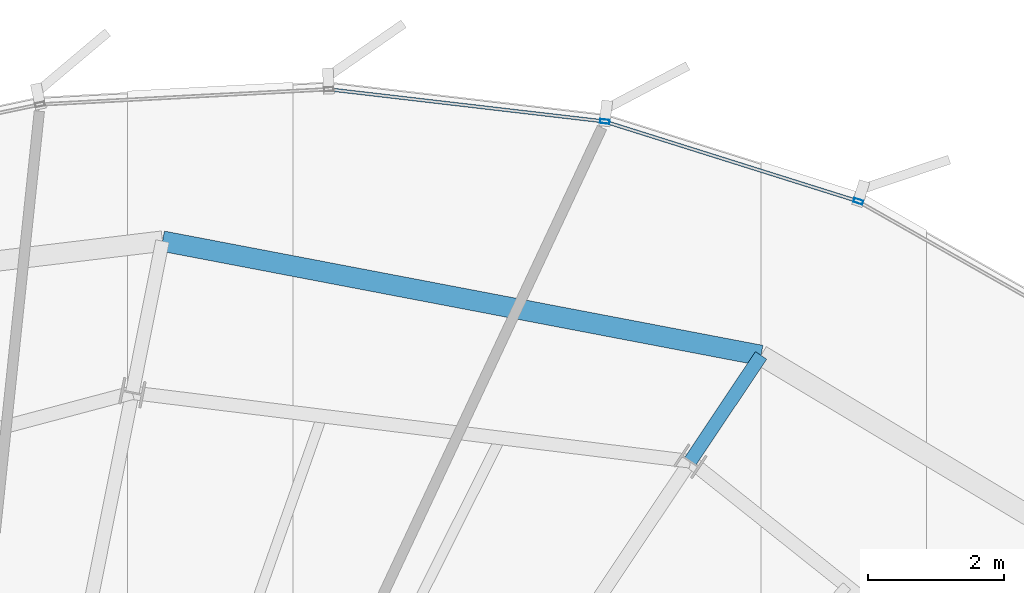
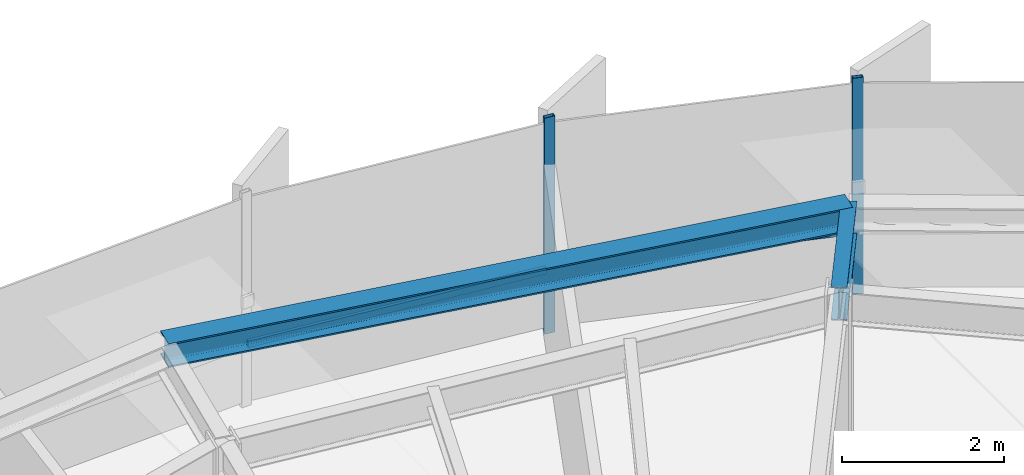
# One storey, part 28 of 36: 4 members, 2 beams, 1 element without a shape of its own.
"""IFC4 building model written with IfcOpenShell, lengths in metres."""

from ifc_helpers import new_model, si_unit, direction, frame, origin, origin_2d, place, context, subcontext, project, spatial, hollow_rectangle, i_section, extrude, source, transform, mapped, material, layer, layer_set, material_profile, profile_set, type_object, element, aggregate, save


model = new_model("IFC4")

# Units and contexts
model_context = context("Model", 3, precision=1e-05, world=origin(), true_north=direction((0.0, 1.0)))
body_context = subcontext(model_context, "Body", "Model", "MODEL_VIEW")
ifc_project = project(units=[si_unit("LENGTHUNIT", "METRE"), si_unit("AREAUNIT", "SQUARE_METRE"), si_unit("VOLUMEUNIT", "CUBIC_METRE"), si_unit("PLANEANGLEUNIT", "RADIAN"), si_unit("MASSUNIT", "GRAM", prefix="KILO"), si_unit("THERMODYNAMICTEMPERATUREUNIT", "KELVIN")], contexts=[model_context])

# Site, building, storey
site_placement = place(None, origin())
site = spatial("IfcSite", under=ifc_project, at=site_placement, CompositionType="ELEMENT")
building_placement = place(site_placement, origin())
building = spatial("IfcBuilding", under=site, at=building_placement, Name="Kethvar Cultural Tower", CompositionType="ELEMENT")
storey_placement = place(building_placement, frame((0.0, 0.0, 197.39990234375)))
storey = spatial("IfcBuildingStorey", under=building, at=storey_placement, Name="L51", CompositionType="ELEMENT", Elevation=197.39990234375)

# Beams
ifc_material_1 = material(Name="Steel S355J2", Category="steel")
ifc_material_profile_1 = material_profile(ifc_material_1, i_section(OverallWidth=0.199951171875, OverallDepth=0.5, WebThickness=0.01025390625, FlangeThickness=0.01611328125, FilletRadius=0.02099609375, at=origin_2d()), Name="Steel S355J2 — IPE500")
ifc_profile_set_1 = profile_set([ifc_material_profile_1], Name="Steel S355J2 — IPE500")
beam_type_1 = type_object("IfcBeamType", Name="BM-IPE500", PredefinedType="BEAM", material=ifc_profile_set_1)
shared_shape_1 = source(origin(), body_context, "Body", "SweptSolid", [
    extrude(i_section(OverallWidth=0.199951171875, OverallDepth=0.5, WebThickness=0.01025390625, FlangeThickness=0.01611328125, FilletRadius=0.02099609375, at=origin_2d()), origin(), (0.0, 0.0, 1.0), 1.869140625),
])
beam_1_placement = place(storey_placement, frame((58.748046875, 45.681396484375, 3.008056640625), z_axis=(0.555513774787, 0.831507333715, 0.0), x_axis=(-0.831507333715, 0.555513774787, 0.0)))
element("IfcBeam", 1, at=beam_1_placement, inside=storey, type_object=beam_type_1, Name="L51 Perimeter Cantilever Beam RC-03", PredefinedType="BEAM", context=body_context, shape_type="MappedRepresentation", body=[
    mapped(shared_shape_1, transform((0.0, 0.0, 0.0), scale=1.0)),
])
ifc_material_profile_2 = material_profile(ifc_material_1, i_section(OverallWidth=0.300048828125, OverallDepth=0.360107421875, WebThickness=0.012451171875, FlangeThickness=0.0224609375, FilletRadius=0.027099609375, at=origin_2d()), Name="Steel S355J2 — HEB360")
ifc_profile_set_2 = profile_set([ifc_material_profile_2], Name="Steel S355J2 — HEB360")
beam_type_2 = type_object("IfcBeamType", Name="BM-SP360", PredefinedType="SPANDREL", material=ifc_profile_set_2)
shared_shape_2 = source(origin(), body_context, "Body", "SweptSolid", [
    extrude(i_section(OverallWidth=0.300048828125, OverallDepth=0.360107421875, WebThickness=0.012451171875, FlangeThickness=0.0224609375, FilletRadius=0.027099609375, at=origin_2d()), origin(), (0.0, 0.0, 1.0), 8.945556640625),
])
beam_2_placement = place(storey_placement, frame((59.786376953125, 47.235595703125, 3.078125), z_axis=(-0.982260367654, 0.187522185717, 0.0), x_axis=(-0.187522185717, -0.982260367654, 0.0)))
element("IfcBeam", 2, at=beam_2_placement, inside=storey, type_object=beam_type_2, Name="L51 Perimeter Spandrel Beam SP-03", PredefinedType="SPANDREL", context=body_context, shape_type="MappedRepresentation", body=[
    mapped(shared_shape_2, transform((0.0, 0.0, 0.0), scale=1.0)),
])

# Curtain wall, members
ifc_material_2 = material(Name="Aluminium 6063-T6", Category="aluminium")
ifc_layer = layer(ifc_material_2, 0.179931640625, Name="Aluminium 6063-T6", Category="aluminium")
ifc_layer_set = layer_set([ifc_layer], Name="Aluminium 6063-T6 (180 mm)")
curtain_wall_type = type_object("IfcCurtainWallType", Name="CW-SYS-04-Z34", PredefinedType="NOTDEFINED", material=ifc_layer_set)
curtain_wall_placement = place(storey_placement, origin())
curtain_wall = element("IfcCurtainWall", 3, at=curtain_wall_placement, inside=storey, type_object=curtain_wall_type, Name="L51 Curtain Wall Run 01", PredefinedType="NOTDEFINED")
ifc_material_profile_3 = material_profile(ifc_material_2, hollow_rectangle(XDim=0.06005859375, YDim=0.139892578125, WallThickness=0.0048828125, at=origin_2d()), Name="Aluminium 6063-T6 — RHS140x60x5")
ifc_profile_set_3 = profile_set([ifc_material_profile_3], Name="Aluminium 6063-T6 — RHS140x60x5")
member_type_1 = type_object("IfcMemberType", Name="CW-SYS-04-Z34-MUL", PredefinedType="MULLION", material=ifc_profile_set_3)
shared_shape_3 = source(origin(), body_context, "Body", "SweptSolid", [
    extrude(hollow_rectangle(XDim=0.06005859375, YDim=0.139892578125, WallThickness=0.0048828125, at=origin_2d()), origin(), (0.0, 0.0, 1.0), 3.260009765625),
])
member_1_placement = place(storey_placement, frame((61.2138671875, 49.497314453125, 0.0), z_axis=(0.0, 0.0, 1.0), x_axis=(-0.300006607737, -0.953937123355, 0.0)))
member_1 = element("IfcMember", 4, at=member_1_placement, type_object=member_type_1, Name="CW-L51-R01 Mullion 3", PredefinedType="MULLION", context=body_context, shape_type="MappedRepresentation", body=[
    mapped(shared_shape_3, transform((0.0, 0.0, 0.0), scale=1.0)),
])
member_2_placement = place(storey_placement, frame((57.49365234375, 50.66943359375, 0.0), z_axis=(0.0, 0.0, 1.0), x_axis=(-0.115734644136, -0.993280168002, 0.0)))
member_2 = element("IfcMember", 5, at=member_2_placement, type_object=member_type_1, Name="CW-L51-R01 Mullion 4", PredefinedType="MULLION", context=body_context, shape_type="MappedRepresentation", body=[
    mapped(shared_shape_3, transform((0.0, 0.0, 0.0), scale=1.0)),
])
ifc_material_profile_4 = material_profile(ifc_material_2, hollow_rectangle(XDim=0.050048828125, YDim=0.10009765625, WallThickness=0.00390625, at=origin_2d()), Name="Aluminium 6063-T6 — RHS100x50x4")
ifc_profile_set_4 = profile_set([ifc_material_profile_4], Name="Aluminium 6063-T6 — RHS100x50x4")
member_type_2 = type_object("IfcMemberType", Name="CW-SYS-04-Z34-TRN", PredefinedType="USERDEFINED", material=ifc_profile_set_4)
shared_shape_4 = source(origin(), body_context, "Body", "SweptSolid", [
    extrude(hollow_rectangle(XDim=0.050048828125, YDim=0.10009765625, WallThickness=0.00390625, at=origin_2d()), origin(), (0.0, 0.0, 1.0), 3.8349609375),
])
member_3_placement = place(storey_placement, frame((61.172607421875, 49.51025390625, 0.9501953125), z_axis=(-0.953925536012, 0.300043449761, 0.0), x_axis=(-0.300043449761, -0.953925536012, 0.0)))
member_3 = element("IfcMember", 6, at=member_3_placement, type_object=member_type_2, Name="CW-L51-R01 Transom 3", ObjectType="TRANSOM", PredefinedType="USERDEFINED", context=body_context, shape_type="MappedRepresentation", body=[
    mapped(shared_shape_4, transform((0.0, 0.0, 0.0), scale=1.0)),
])
shared_shape_5 = source(origin(), body_context, "Body", "SweptSolid", [
    extrude(hollow_rectangle(XDim=0.050048828125, YDim=0.10009765625, WallThickness=0.00390625, at=origin_2d()), origin(), (0.0, 0.0, 1.0), 4.01171875),
])
member_4_placement = place(storey_placement, frame((57.45068359375, 50.67431640625, 0.9501953125), z_axis=(-0.993278773279, 0.115746613575, 0.0), x_axis=(-0.115746613575, -0.993278773279, 0.0)))
member_4 = element("IfcMember", 7, at=member_4_placement, type_object=member_type_2, Name="CW-L51-R01 Transom 4", ObjectType="TRANSOM", PredefinedType="USERDEFINED", context=body_context, shape_type="MappedRepresentation", body=[
    mapped(shared_shape_5, transform((0.0, 0.0, 0.0), scale=1.0)),
])
aggregate(curtain_wall, [member_1, member_2, member_3, member_4])

save(model, "model.ifc")
